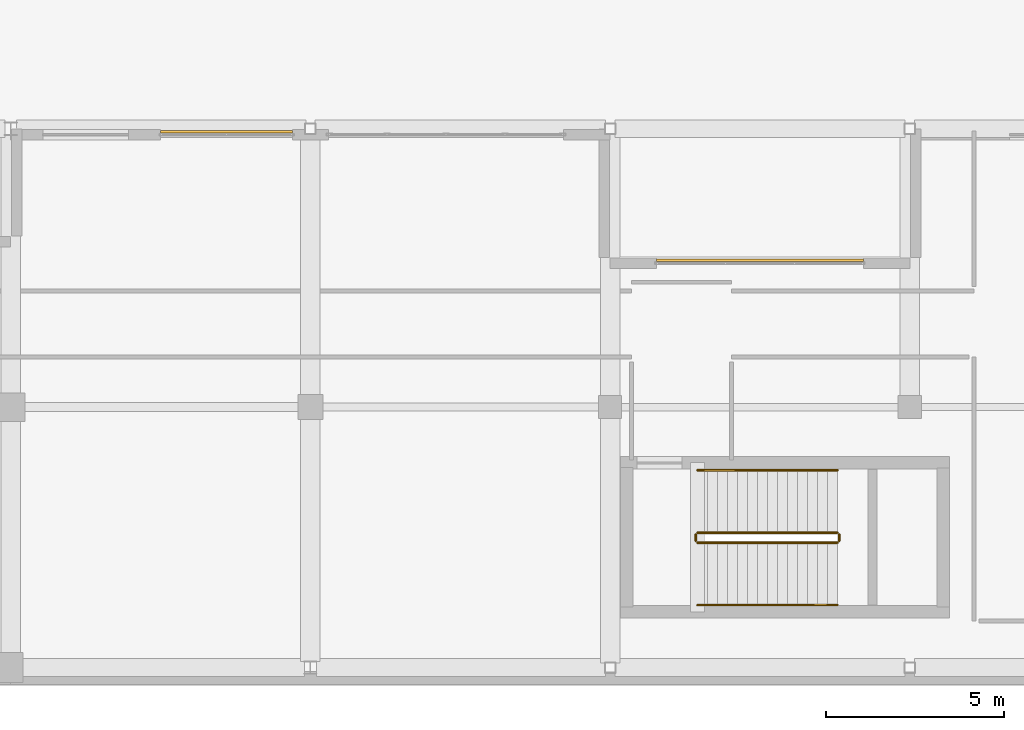
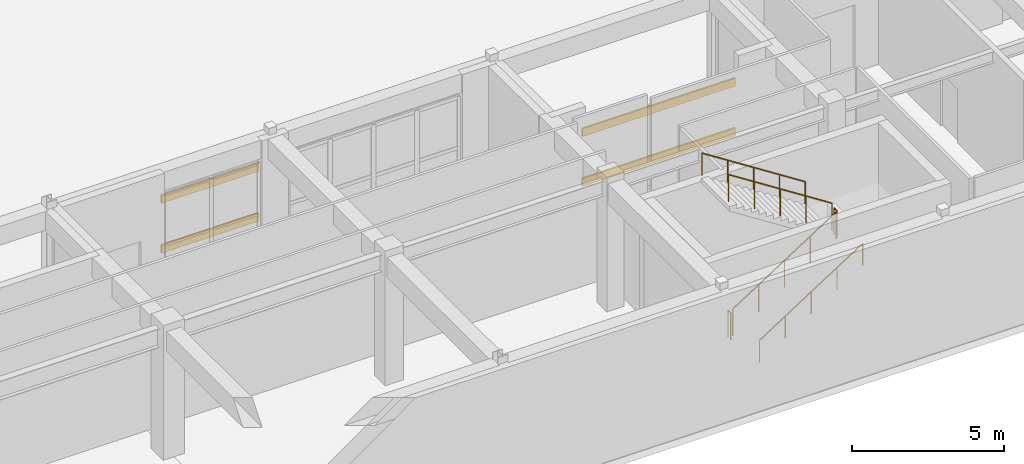
# One storey, part 140 of 148: 6 railings, 4 shading devices.
"""IFC4 building model written with IfcOpenShell, lengths in metres."""

import ifcopenshell
import ifcopenshell.guid

model = None  # the IFC model being written
_history = None  # IfcOwnerHistory: only IFC2X3 demands one
_inside = {}  # id of a spatial element -> (the spatial element, [elements in it])
_under = {}  # id of a project, library or spatial element -> (it, [spatial elements below it])
_declared = {}  # id of a project -> (the project, [libraries it declares])
_typed = {}  # id of a type object -> (the type object, [elements of that type])
_made_of = {}  # id of a material, layer set ... -> (it, [elements and type objects made of it])


def new_model(schema):
    """Start an empty IFC model of exactly this schema.

    Asked for "IFC4X3", IfcOpenShell would pick the latest addendum, in which some entities
    have other attributes; the version numbers below select the first issue.
    IFC2X3 requires an IfcOwnerHistory on every rooted entity: one is made here for all.
    """
    global model, _history
    if schema == "IFC4X3":
        model = ifcopenshell.file(schema_version=(4, 3, 0, 0))
    else:
        model = ifcopenshell.file(schema=schema)
    _inside.clear()
    _under.clear()
    _declared.clear()
    _typed.clear()
    _made_of.clear()
    _history = None
    if model.schema == "IFC2X3":
        org = make("IfcOrganization", Name="unknown")
        user = make(
            "IfcPersonAndOrganization",
            ThePerson=make("IfcPerson", FamilyName="unknown"),
            TheOrganization=org,
        )
        app = make(
            "IfcApplication",
            ApplicationDeveloper=org,
            Version="unknown",
            ApplicationFullName="unknown",
            ApplicationIdentifier="unknown",
        )
        _history = make(
            "IfcOwnerHistory",
            OwningUser=user,
            OwningApplication=app,
            ChangeAction="ADDED",
            CreationDate=0,
        )
    return model


def make(cls, **values):
    """One entity of the class cls with the attributes given. An attribute that is None is left unset."""
    return model.create_entity(
        cls, **{name: value for name, value in values.items() if value is not None}
    )


def rooted(cls, **values):
    """An entity with a GlobalId (a new one), such as an element, a storey or a relation."""
    return make(cls, GlobalId=ifcopenshell.guid.new(), OwnerHistory=_history, **values)


def si_unit(unit_type, name, prefix=None):
    """IfcSIUnit, for example si_unit("LENGTHUNIT", "METRE", prefix="MILLI")."""
    return make("IfcSIUnit", UnitType=unit_type, Prefix=prefix, Name=name)


def assignment(units):
    """IfcUnitAssignment: the units of a project."""
    return None if units is None else make("IfcUnitAssignment", Units=units)


def point(xyz):
    """IfcCartesianPoint."""
    return None if xyz is None else make("IfcCartesianPoint", Coordinates=xyz)


def direction(xyz):
    """IfcDirection."""
    return None if xyz is None else make("IfcDirection", DirectionRatios=xyz)


def frame(location, z_axis=None, x_axis=None):
    """IfcAxis2Placement3D, a coordinate frame: its origin and axes. An axis left out is left unset."""
    return make(
        "IfcAxis2Placement3D",
        Location=point(location),
        Axis=direction(z_axis),
        RefDirection=direction(x_axis),
    )


def frame_2d(location, x_axis=None):
    """IfcAxis2Placement2D, a coordinate frame in the plane: its origin and x axis."""
    return make(
        "IfcAxis2Placement2D", Location=point(location), RefDirection=direction(x_axis)
    )


def origin():
    """The frame at (0, 0, 0) with its axes left unset."""
    return frame((0.0, 0.0, 0.0))


def origin_2d():
    """The frame at (0, 0) in the plane with its x axis left unset."""
    return frame_2d((0.0, 0.0))


def place(relative_to, where):
    """IfcLocalPlacement: puts the frame where relative to a parent placement (None: the world)."""
    return make(
        "IfcLocalPlacement", PlacementRelTo=relative_to, RelativePlacement=where
    )


def context(
    kind, dimensions, precision=None, world=None, true_north=None, identifier=None
):
    """IfcGeometricRepresentationContext, for example the 3D "Model" context."""
    return make(
        "IfcGeometricRepresentationContext",
        ContextIdentifier=identifier,
        ContextType=kind,
        CoordinateSpaceDimension=dimensions,
        Precision=precision,
        WorldCoordinateSystem=world,
        TrueNorth=true_north,
    )


def subcontext(parent, identifier, kind, view, scale=None):
    """IfcGeometricRepresentationSubContext, for example "Body" below "Model"."""
    return make(
        "IfcGeometricRepresentationSubContext",
        ContextIdentifier=identifier,
        ContextType=kind,
        ParentContext=parent,
        TargetScale=scale,
        TargetView=view,
    )


def project(units=None, contexts=None):
    """IfcProject with its units and contexts."""
    return rooted(
        "IfcProject",
        Name="project",
        RepresentationContexts=contexts,
        UnitsInContext=assignment(units),
    )


def spatial(cls, under=None, at=None, **own):
    """A site, building, storey or space (cls), placed at a placement, below another one or the project."""
    s = rooted(cls, ObjectPlacement=at, **own)
    if under is not None:
        _under.setdefault(under.id(), (under, []))[1].append(s)
    return s


def profile(cls, at=None, kind="AREA", **sizes):
    """A parametric profile (cls). Its sizes go by their IFC names, for example OverallWidth=200.0."""
    return make(cls, ProfileType=kind, Position=at, **sizes)


def hollow_rectangle(**sizes):
    """IfcRectangleHollowProfileDef."""
    return profile("IfcRectangleHollowProfileDef", **sizes)


def circle(**sizes):
    """IfcCircleProfileDef."""
    return profile("IfcCircleProfileDef", **sizes)


def extrude(swept, where, along, depth):
    """IfcExtrudedAreaSolid: the profile swept, set in the frame where, extruded along a direction by depth."""
    return make(
        "IfcExtrudedAreaSolid",
        SweptArea=swept,
        Position=where,
        ExtrudedDirection=direction(along),
        Depth=depth,
    )


def shape(context_of_items, identifier, shape_type, items):
    """IfcShapeRepresentation: the items that make up one representation, for example the "Body"."""
    return make(
        "IfcShapeRepresentation",
        ContextOfItems=context_of_items,
        RepresentationIdentifier=identifier,
        RepresentationType=shape_type,
        Items=items,
    )


def material(Name=None, Category=None):
    """IfcMaterial."""
    return make("IfcMaterial", Name=Name, Category=Category)


def material_profile(
    of_material, cross_section, Name=None, Category=None, Priority=None
):
    """IfcMaterialProfile: a cross section and its material."""
    return make(
        "IfcMaterialProfile",
        Name=Name,
        Material=of_material,
        Profile=cross_section,
        Priority=Priority,
        Category=Category,
    )


def profile_set(profiles, Name=None, composite=None):
    """IfcMaterialProfileSet."""
    return make(
        "IfcMaterialProfileSet",
        Name=Name,
        MaterialProfiles=profiles,
        CompositeProfile=composite,
    )


def made_of(thing, what):
    """Note that an element or type object is made of a material, layer set ...; save() writes the relation."""
    if what is not None:
        _made_of.setdefault(what.id(), (what, []))[1].append(thing)
    return thing


def type_object(cls, material=None, **own):
    """A type object (cls), such as IfcWallType, which elements share."""
    return made_of(rooted(cls, **own), material)


def element(
    cls,
    number,
    at=None,
    inside=None,
    cuts=None,
    type_object=None,
    material=None,
    context=None,
    identifier="Body",
    shape_type=None,
    held_by="IfcProductDefinitionShape",
    body=None,
    shapes=None,
    **own,
):
    """One element of the class cls, such as IfcWall. Its Tag is "e" and its number.

    at: its placement. inside: the storey or other place that contains it. cuts: it is an
    opening in that element (IfcRelVoidsElement). A single representation is given by context,
    identifier, shape_type and body (its items); several are given by shapes. held_by: the class
    of the entity that holds the representations. save() writes the other relations.
    """
    e = rooted(cls, Tag="e%d" % number, ObjectPlacement=at, **own)
    if body is not None:
        shapes = [shape(context, identifier, shape_type, body)]
    if shapes is not None:
        e.Representation = make(held_by, Representations=shapes)
    if inside is not None:
        _inside.setdefault(inside.id(), (inside, []))[1].append(e)
    if cuts is not None:
        rooted(
            "IfcRelVoidsElement", RelatingBuildingElement=cuts, RelatedOpeningElement=e
        )
    if type_object is not None:
        _typed.setdefault(type_object.id(), (type_object, []))[1].append(e)
    return made_of(e, material)


def aggregate(whole, parts):
    """IfcRelAggregates: a whole, such as a stair, and the parts it consists of."""
    return rooted("IfcRelAggregates", RelatingObject=whole, RelatedObjects=parts)


def save(model, path):
    """Write the relations noted so far, then the file.

    IfcRelAggregates (storeys below a building ...), IfcRelContainedInSpatialStructure (elements
    in a storey), IfcRelDefinesByType, IfcRelAssociatesMaterial and IfcRelDeclares: one each for
    every whole, place, type object, material and project.
    """
    for whole, parts in _under.values():
        aggregate(whole, parts)
    for where, things in _inside.values():
        rooted(
            "IfcRelContainedInSpatialStructure",
            RelatedElements=things,
            RelatingStructure=where,
        )
    for kind, things in _typed.values():
        rooted("IfcRelDefinesByType", RelatedObjects=things, RelatingType=kind)
    for what, things in _made_of.values():
        rooted("IfcRelAssociatesMaterial", RelatedObjects=things, RelatingMaterial=what)
    for by, libraries in _declared.values():
        rooted("IfcRelDeclares", RelatingContext=by, RelatedDefinitions=libraries)
    model.write(path)


model = new_model("IFC4")

# Units and contexts
model_context = context("Model", 3, precision=1e-05, world=origin(), true_north=direction((0.0, 1.0)))
body_context = subcontext(model_context, "Body", "Model", "MODEL_VIEW")
ifc_project = project(units=[si_unit("LENGTHUNIT", "METRE"), si_unit("AREAUNIT", "SQUARE_METRE"), si_unit("VOLUMEUNIT", "CUBIC_METRE"), si_unit("PLANEANGLEUNIT", "RADIAN"), si_unit("MASSUNIT", "GRAM", prefix="KILO")], contexts=[model_context])

# Site, building, storey
site_placement = place(None, origin())
site = spatial("IfcSite", under=ifc_project, at=site_placement, CompositionType="ELEMENT")
building_placement = place(site_placement, origin())
building = spatial("IfcBuilding", under=site, at=building_placement, Name="Quendrovan Civic Courthouse", CompositionType="ELEMENT")
storey_placement = place(building_placement, origin())
storey = spatial("IfcBuildingStorey", under=building, at=storey_placement, Name="L01", CompositionType="ELEMENT", Elevation=0.0)

# Railings
ifc_material_1 = material(Name="Painted galvanized steel", Category="steel")
railing_type_1 = type_object("IfcRailingType", Name="RL-STR-GUARD1100", PredefinedType="GUARDRAIL", material=ifc_material_1)
railing_1_placement = place(storey_placement, frame((78.050048828125, 4.0, 0.179931640625)))
element("IfcRailing", 1, at=railing_1_placement, inside=storey, type_object=railing_type_1, Name="L01 ST7 stair guard 1", PredefinedType="GUARDRAIL", context=body_context, shape_type="SweptSolid", body=[
    extrude(circle(Radius=0.02392578125, at=origin_2d()), frame((0.0, 0.0, 1.076171875), z_axis=(0.841171666519, 0.0, 0.540768182723), x_axis=(0.0, 1.0, 0.0)), (0.0, 0.0, 1.0), 4.66015625),
    extrude(circle(Radius=0.02099609375, at=origin_2d()), origin(), (0.0, 0.0, 1.0), 1.052001953125),
    extrude(circle(Radius=0.02099609375, at=origin_2d()), frame((0.97998046875, 0.0, 0.6298828125)), (0.0, 0.0, 1.0), 1.052001953125),
    extrude(circle(Radius=0.02099609375, at=origin_2d()), frame((1.9599609375, 0.0, 1.260009765625)), (0.0, 0.0, 1.0), 1.052001953125),
    extrude(circle(Radius=0.02099609375, at=origin_2d()), frame((2.93994140625, 0.0, 1.89013671875)), (0.0, 0.0, 1.0), 1.052001953125),
    extrude(circle(Radius=0.02099609375, at=origin_2d()), frame((3.919921875, 0.0, 2.52001953125)), (0.0, 0.0, 1.0), 1.052001953125),
])
railing_2_placement = place(storey_placement, frame((82.02001953125, 4.050048828125, 2.699951171875)))
element("IfcRailing", 2, at=railing_2_placement, inside=storey, type_object=railing_type_1, Name="L01 ST7 stair guard 2", PredefinedType="GUARDRAIL", context=body_context, shape_type="SweptSolid", body=[
    extrude(circle(Radius=0.02392578125, at=origin_2d()), frame((0.0, 0.0, 1.076171875), z_axis=(0.0, 1.0, 0.0), x_axis=(-1.0, 0.0, 0.0)), (0.0, 0.0, 1.0), 0.179931640625),
    extrude(circle(Radius=0.02099609375, at=origin_2d()), origin(), (0.0, 0.0, 1.0), 1.052001953125),
    extrude(circle(Radius=0.02099609375, at=origin_2d()), frame((0.0, 0.179931640625, 0.0)), (0.0, 0.0, 1.0), 1.052001953125),
])
railing_3_placement = place(storey_placement, frame((81.969970703125, 4.280029296875, 2.8798828125)))
element("IfcRailing", 3, at=railing_3_placement, inside=storey, type_object=railing_type_1, Name="L01 ST7 stair guard 3", PredefinedType="GUARDRAIL", context=body_context, shape_type="SweptSolid", body=[
    extrude(circle(Radius=0.02392578125, at=origin_2d()), frame((0.0, 0.0, 1.076171875), z_axis=(-0.841171666519, 0.0, 0.540768182723), x_axis=(0.0, -1.0, 0.0)), (0.0, 0.0, 1.0), 4.66015625),
    extrude(circle(Radius=0.02099609375, at=origin_2d()), origin(), (0.0, 0.0, 1.0), 1.052001953125),
    extrude(circle(Radius=0.02099609375, at=origin_2d()), frame((-0.97998046875, 0.0, 0.6298828125)), (0.0, 0.0, 1.0), 1.052001953125),
    extrude(circle(Radius=0.02099609375, at=origin_2d()), frame((-1.9599609375, 0.0, 1.260009765625)), (0.0, 0.0, 1.0), 1.052001953125),
    extrude(circle(Radius=0.02099609375, at=origin_2d()), frame((-2.93994140625, 0.0, 1.89013671875)), (0.0, 0.0, 1.0), 1.052001953125),
    extrude(circle(Radius=0.02099609375, at=origin_2d()), frame((-3.919921875, 0.0, 2.52001953125)), (0.0, 0.0, 1.0), 1.052001953125),
])
railing_4_placement = place(storey_placement, frame((78.0, 4.050048828125, 0.0)))
element("IfcRailing", 4, at=railing_4_placement, inside=storey, type_object=railing_type_1, Name="L01 ST7 stair guard 4", PredefinedType="GUARDRAIL", context=body_context, shape_type="SweptSolid", body=[
    extrude(circle(Radius=0.02392578125, at=origin_2d()), frame((0.0, 0.0, 1.076171875), z_axis=(0.0, 1.0, 0.0), x_axis=(-1.0, 0.0, 0.0)), (0.0, 0.0, 1.0), 0.179931640625),
    extrude(circle(Radius=0.02099609375, at=origin_2d()), origin(), (0.0, 0.0, 1.0), 1.052001953125),
    extrude(circle(Radius=0.02099609375, at=origin_2d()), frame((0.0, 0.179931640625, 0.0)), (0.0, 0.0, 1.0), 1.052001953125),
])
ifc_material_2 = material(Name="Bronze anodised aluminium", Category="aluminium")
railing_type_2 = type_object("IfcRailingType", Name="RL-STR-HAND900", PredefinedType="HANDRAIL", material=ifc_material_2)
railing_5_placement = place(storey_placement, frame((78.050048828125, 2.25, 0.179931640625)))
element("IfcRailing", 5, at=railing_5_placement, inside=storey, type_object=railing_type_2, Name="L01 ST7 stair handrail 1", PredefinedType="HANDRAIL", context=body_context, shape_type="SweptSolid", body=[
    extrude(circle(Radius=0.02392578125, at=origin_2d()), frame((0.0, 0.0, 0.8759765625), z_axis=(0.841171666519, 0.0, 0.540768182723), x_axis=(0.0, 1.0, 0.0)), (0.0, 0.0, 1.0), 4.66015625),
    extrude(circle(Radius=0.02099609375, at=origin_2d()), origin(), (0.0, 0.0, 1.0), 0.851806640625),
    extrude(circle(Radius=0.02099609375, at=origin_2d()), frame((0.97998046875, 0.0, 0.6298828125)), (0.0, 0.0, 1.0), 0.851806640625),
    extrude(circle(Radius=0.02099609375, at=origin_2d()), frame((1.9599609375, 0.0, 1.260009765625)), (0.0, 0.0, 1.0), 0.851806640625),
    extrude(circle(Radius=0.02099609375, at=origin_2d()), frame((2.93994140625, 0.0, 1.89013671875)), (0.0, 0.0, 1.0), 0.851806640625),
    extrude(circle(Radius=0.02099609375, at=origin_2d()), frame((3.919921875, 0.0, 2.52001953125)), (0.0, 0.0, 1.0), 0.851806640625),
])
railing_6_placement = place(storey_placement, frame((81.969970703125, 6.030029296875, 2.8798828125)))
element("IfcRailing", 6, at=railing_6_placement, inside=storey, type_object=railing_type_2, Name="L01 ST7 stair handrail 2", PredefinedType="HANDRAIL", context=body_context, shape_type="SweptSolid", body=[
    extrude(circle(Radius=0.02392578125, at=origin_2d()), frame((0.0, 0.0, 0.8759765625), z_axis=(-0.841171666519, 0.0, 0.540768182723), x_axis=(0.0, -1.0, 0.0)), (0.0, 0.0, 1.0), 4.66015625),
    extrude(circle(Radius=0.02099609375, at=origin_2d()), origin(), (0.0, 0.0, 1.0), 0.851806640625),
    extrude(circle(Radius=0.02099609375, at=origin_2d()), frame((-0.97998046875, 0.0, 0.6298828125)), (0.0, 0.0, 1.0), 0.851806640625),
    extrude(circle(Radius=0.02099609375, at=origin_2d()), frame((-1.9599609375, 0.0, 1.260009765625)), (0.0, 0.0, 1.0), 0.851806640625),
    extrude(circle(Radius=0.02099609375, at=origin_2d()), frame((-2.93994140625, 0.0, 1.89013671875)), (0.0, 0.0, 1.0), 0.851806640625),
    extrude(circle(Radius=0.02099609375, at=origin_2d()), frame((-3.919921875, 0.0, 2.52001953125)), (0.0, 0.0, 1.0), 0.851806640625),
])

# Shading devices
ifc_material_profile = material_profile(ifc_material_2, hollow_rectangle(XDim=0.06494140625, YDim=0.320068359375, WallThickness=0.0048828125, at=origin_2d()), Name="AL-LOUVRE-65x320")
ifc_profile_set = profile_set([ifc_material_profile], Name="Bronze anodised aluminium")
shading_device_type = type_object("IfcShadingDeviceType", Name="SHD-STORM-LOUVRE", PredefinedType="JALOUSIE", material=ifc_profile_set)
for number, where, z_axis, x_axis, name in (
    (7, (63.0, 15.514892578125, 1.949951171875), (1.0, 0.0, 0.0), (0.0, 1.0, 0.0), "L01 Bronze Hurricane Storm Louvre SLV-009"),
    (8, (63.0, 15.514892578125, 3.949951171875), (1.0, 0.0, 0.0), (0.0, 1.0, 0.0), "L01 Bronze Hurricane Storm Louvre SLV-010"),
):
    element("IfcShadingDevice", number, at=place(storey_placement, frame(where, z_axis=z_axis, x_axis=x_axis)), inside=storey, type_object=shading_device_type, Name=name, PredefinedType="JALOUSIE", context=body_context, shape_type="SweptSolid", body=[
        extrude(hollow_rectangle(XDim=0.06494140625, YDim=0.320068359375, WallThickness=0.0048828125, at=origin_2d()), origin(), (0.0, 0.0, 1.0), 3.699951171875),
    ])
for number, where, z_axis, x_axis, name in (
    (9, (76.89990234375, 11.9150390625, 1.949951171875), (1.0, 0.0, 0.0), (0.0, 1.0, 0.0), "L01 Bronze Hurricane Storm Louvre SLV-011"),
    (10, (76.89990234375, 11.9150390625, 3.949951171875), (1.0, 0.0, 0.0), (0.0, 1.0, 0.0), "L01 Bronze Hurricane Storm Louvre SLV-012"),
):
    element("IfcShadingDevice", number, at=place(storey_placement, frame(where, z_axis=z_axis, x_axis=x_axis)), inside=storey, type_object=shading_device_type, Name=name, PredefinedType="JALOUSIE", context=body_context, shape_type="SweptSolid", body=[
        extrude(hollow_rectangle(XDim=0.06494140625, YDim=0.320068359375, WallThickness=0.0048828125, at=origin_2d()), origin(), (0.0, 0.0, 1.0), 5.800048828125),
    ])

save(model, "model.ifc")
